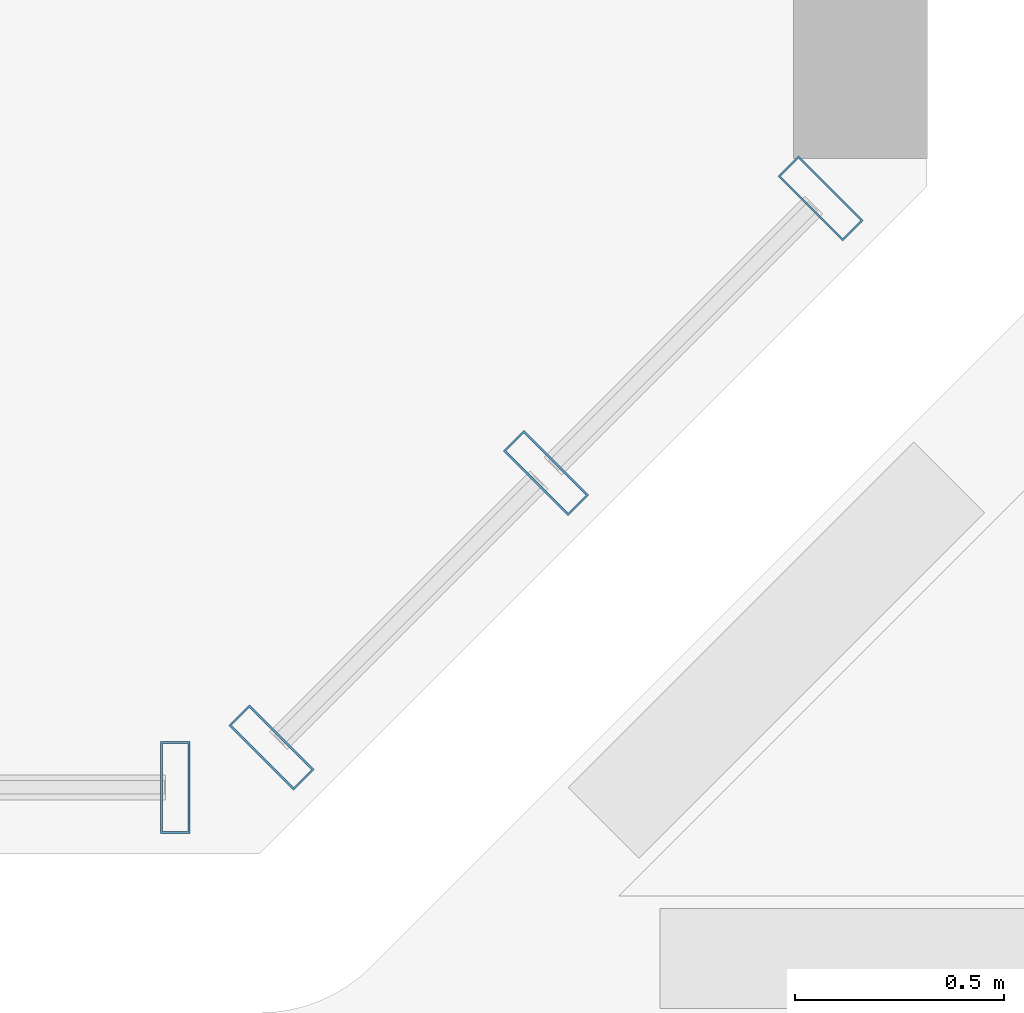
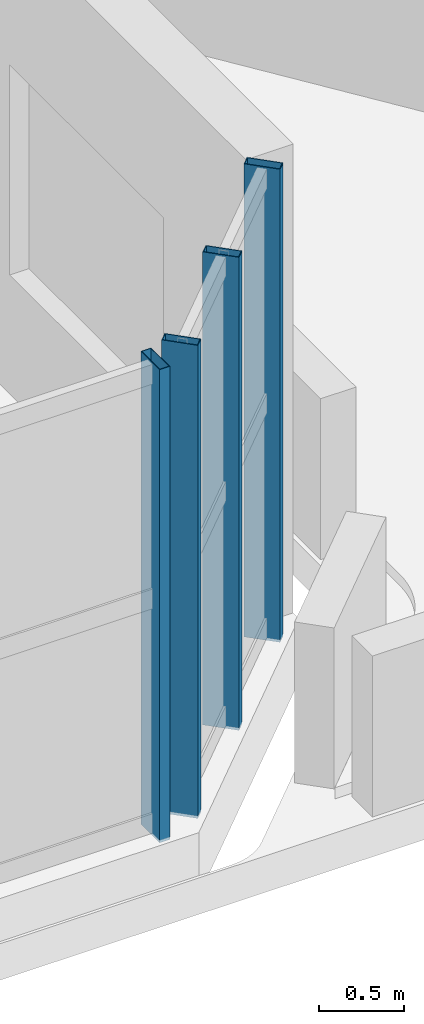
# One storey, part 9 of 28: 4 members, 2 elements without a shape of their own.
"""IFC4 building model written with IfcOpenShell, lengths in metres."""

import ifcopenshell
import ifcopenshell.guid

model = None  # the IFC model being written
_history = None  # IfcOwnerHistory: only IFC2X3 demands one
_inside = {}  # id of a spatial element -> (the spatial element, [elements in it])
_under = {}  # id of a project, library or spatial element -> (it, [spatial elements below it])
_declared = {}  # id of a project -> (the project, [libraries it declares])
_typed = {}  # id of a type object -> (the type object, [elements of that type])
_made_of = {}  # id of a material, layer set ... -> (it, [elements and type objects made of it])


def new_model(schema):
    """Start an empty IFC model of exactly this schema.

    Asked for "IFC4X3", IfcOpenShell would pick the latest addendum, in which some entities
    have other attributes; the version numbers below select the first issue.
    IFC2X3 requires an IfcOwnerHistory on every rooted entity: one is made here for all.
    """
    global model, _history
    if schema == "IFC4X3":
        model = ifcopenshell.file(schema_version=(4, 3, 0, 0))
    else:
        model = ifcopenshell.file(schema=schema)
    _inside.clear()
    _under.clear()
    _declared.clear()
    _typed.clear()
    _made_of.clear()
    _history = None
    if model.schema == "IFC2X3":
        org = make("IfcOrganization", Name="unknown")
        user = make(
            "IfcPersonAndOrganization",
            ThePerson=make("IfcPerson", FamilyName="unknown"),
            TheOrganization=org,
        )
        app = make(
            "IfcApplication",
            ApplicationDeveloper=org,
            Version="unknown",
            ApplicationFullName="unknown",
            ApplicationIdentifier="unknown",
        )
        _history = make(
            "IfcOwnerHistory",
            OwningUser=user,
            OwningApplication=app,
            ChangeAction="ADDED",
            CreationDate=0,
        )
    return model


def make(cls, **values):
    """One entity of the class cls with the attributes given. An attribute that is None is left unset."""
    return model.create_entity(
        cls, **{name: value for name, value in values.items() if value is not None}
    )


def rooted(cls, **values):
    """An entity with a GlobalId (a new one), such as an element, a storey or a relation."""
    return make(cls, GlobalId=ifcopenshell.guid.new(), OwnerHistory=_history, **values)


def si_unit(unit_type, name, prefix=None):
    """IfcSIUnit, for example si_unit("LENGTHUNIT", "METRE", prefix="MILLI")."""
    return make("IfcSIUnit", UnitType=unit_type, Prefix=prefix, Name=name)


def assignment(units):
    """IfcUnitAssignment: the units of a project."""
    return None if units is None else make("IfcUnitAssignment", Units=units)


def point(xyz):
    """IfcCartesianPoint."""
    return None if xyz is None else make("IfcCartesianPoint", Coordinates=xyz)


def direction(xyz):
    """IfcDirection."""
    return None if xyz is None else make("IfcDirection", DirectionRatios=xyz)


def frame(location, z_axis=None, x_axis=None):
    """IfcAxis2Placement3D, a coordinate frame: its origin and axes. An axis left out is left unset."""
    return make(
        "IfcAxis2Placement3D",
        Location=point(location),
        Axis=direction(z_axis),
        RefDirection=direction(x_axis),
    )


def frame_2d(location, x_axis=None):
    """IfcAxis2Placement2D, a coordinate frame in the plane: its origin and x axis."""
    return make(
        "IfcAxis2Placement2D", Location=point(location), RefDirection=direction(x_axis)
    )


def origin():
    """The frame at (0, 0, 0) with its axes left unset."""
    return frame((0.0, 0.0, 0.0))


def origin_2d():
    """The frame at (0, 0) in the plane with its x axis left unset."""
    return frame_2d((0.0, 0.0))


def place(relative_to, where):
    """IfcLocalPlacement: puts the frame where relative to a parent placement (None: the world)."""
    return make(
        "IfcLocalPlacement", PlacementRelTo=relative_to, RelativePlacement=where
    )


def context(
    kind, dimensions, precision=None, world=None, true_north=None, identifier=None
):
    """IfcGeometricRepresentationContext, for example the 3D "Model" context."""
    return make(
        "IfcGeometricRepresentationContext",
        ContextIdentifier=identifier,
        ContextType=kind,
        CoordinateSpaceDimension=dimensions,
        Precision=precision,
        WorldCoordinateSystem=world,
        TrueNorth=true_north,
    )


def subcontext(parent, identifier, kind, view, scale=None):
    """IfcGeometricRepresentationSubContext, for example "Body" below "Model"."""
    return make(
        "IfcGeometricRepresentationSubContext",
        ContextIdentifier=identifier,
        ContextType=kind,
        ParentContext=parent,
        TargetScale=scale,
        TargetView=view,
    )


def project(units=None, contexts=None):
    """IfcProject with its units and contexts."""
    return rooted(
        "IfcProject",
        Name="project",
        RepresentationContexts=contexts,
        UnitsInContext=assignment(units),
    )


def spatial(cls, under=None, at=None, **own):
    """A site, building, storey or space (cls), placed at a placement, below another one or the project."""
    s = rooted(cls, ObjectPlacement=at, **own)
    if under is not None:
        _under.setdefault(under.id(), (under, []))[1].append(s)
    return s


def profile(cls, at=None, kind="AREA", **sizes):
    """A parametric profile (cls). Its sizes go by their IFC names, for example OverallWidth=200.0."""
    return make(cls, ProfileType=kind, Position=at, **sizes)


def hollow_rectangle(**sizes):
    """IfcRectangleHollowProfileDef."""
    return profile("IfcRectangleHollowProfileDef", **sizes)


def extrude(swept, where, along, depth):
    """IfcExtrudedAreaSolid: the profile swept, set in the frame where, extruded along a direction by depth."""
    return make(
        "IfcExtrudedAreaSolid",
        SweptArea=swept,
        Position=where,
        ExtrudedDirection=direction(along),
        Depth=depth,
    )


def shape(context_of_items, identifier, shape_type, items):
    """IfcShapeRepresentation: the items that make up one representation, for example the "Body"."""
    return make(
        "IfcShapeRepresentation",
        ContextOfItems=context_of_items,
        RepresentationIdentifier=identifier,
        RepresentationType=shape_type,
        Items=items,
    )


def source(mapping_origin, context_of_items, identifier, shape_type, items):
    """IfcRepresentationMap: a shape defined once, which mapped items show again and again."""
    return make(
        "IfcRepresentationMap",
        MappingOrigin=mapping_origin,
        MappedRepresentation=shape(context_of_items, identifier, shape_type, items),
    )


def transform(
    local_origin,
    x_axis=None,
    y_axis=None,
    z_axis=None,
    scale=None,
    scale2=None,
    scale3=None,
    uniform=True,
):
    """IfcCartesianTransformationOperator3D, or its non-uniform kind. x_axis, y_axis, z_axis: its Axis1, 2, 3."""
    if uniform:
        return make(
            "IfcCartesianTransformationOperator3D",
            Axis1=direction(x_axis),
            Axis2=direction(y_axis),
            LocalOrigin=point(local_origin),
            Scale=scale,
            Axis3=direction(z_axis),
        )
    return make(
        "IfcCartesianTransformationOperator3DnonUniform",
        Axis1=direction(x_axis),
        Axis2=direction(y_axis),
        LocalOrigin=point(local_origin),
        Scale=scale,
        Axis3=direction(z_axis),
        Scale2=scale2,
        Scale3=scale3,
    )


def mapped(mapping_source, mapping_target):
    """IfcMappedItem: shows the shape of a source again, moved by a transform."""
    return make(
        "IfcMappedItem", MappingSource=mapping_source, MappingTarget=mapping_target
    )


def material(Name=None, Category=None):
    """IfcMaterial."""
    return make("IfcMaterial", Name=Name, Category=Category)


def material_profile(
    of_material, cross_section, Name=None, Category=None, Priority=None
):
    """IfcMaterialProfile: a cross section and its material."""
    return make(
        "IfcMaterialProfile",
        Name=Name,
        Material=of_material,
        Profile=cross_section,
        Priority=Priority,
        Category=Category,
    )


def profile_set(profiles, Name=None, composite=None):
    """IfcMaterialProfileSet."""
    return make(
        "IfcMaterialProfileSet",
        Name=Name,
        MaterialProfiles=profiles,
        CompositeProfile=composite,
    )


def made_of(thing, what):
    """Note that an element or type object is made of a material, layer set ...; save() writes the relation."""
    if what is not None:
        _made_of.setdefault(what.id(), (what, []))[1].append(thing)
    return thing


def type_object(cls, material=None, **own):
    """A type object (cls), such as IfcWallType, which elements share."""
    return made_of(rooted(cls, **own), material)


def element(
    cls,
    number,
    at=None,
    inside=None,
    cuts=None,
    type_object=None,
    material=None,
    context=None,
    identifier="Body",
    shape_type=None,
    held_by="IfcProductDefinitionShape",
    body=None,
    shapes=None,
    **own,
):
    """One element of the class cls, such as IfcWall. Its Tag is "e" and its number.

    at: its placement. inside: the storey or other place that contains it. cuts: it is an
    opening in that element (IfcRelVoidsElement). A single representation is given by context,
    identifier, shape_type and body (its items); several are given by shapes. held_by: the class
    of the entity that holds the representations. save() writes the other relations.
    """
    e = rooted(cls, Tag="e%d" % number, ObjectPlacement=at, **own)
    if body is not None:
        shapes = [shape(context, identifier, shape_type, body)]
    if shapes is not None:
        e.Representation = make(held_by, Representations=shapes)
    if inside is not None:
        _inside.setdefault(inside.id(), (inside, []))[1].append(e)
    if cuts is not None:
        rooted(
            "IfcRelVoidsElement", RelatingBuildingElement=cuts, RelatedOpeningElement=e
        )
    if type_object is not None:
        _typed.setdefault(type_object.id(), (type_object, []))[1].append(e)
    return made_of(e, material)


def aggregate(whole, parts):
    """IfcRelAggregates: a whole, such as a stair, and the parts it consists of."""
    return rooted("IfcRelAggregates", RelatingObject=whole, RelatedObjects=parts)


def save(model, path):
    """Write the relations noted so far, then the file.

    IfcRelAggregates (storeys below a building ...), IfcRelContainedInSpatialStructure (elements
    in a storey), IfcRelDefinesByType, IfcRelAssociatesMaterial and IfcRelDeclares: one each for
    every whole, place, type object, material and project.
    """
    for whole, parts in _under.values():
        aggregate(whole, parts)
    for where, things in _inside.values():
        rooted(
            "IfcRelContainedInSpatialStructure",
            RelatedElements=things,
            RelatingStructure=where,
        )
    for kind, things in _typed.values():
        rooted("IfcRelDefinesByType", RelatedObjects=things, RelatingType=kind)
    for what, things in _made_of.values():
        rooted("IfcRelAssociatesMaterial", RelatedObjects=things, RelatingMaterial=what)
    for by, libraries in _declared.values():
        rooted("IfcRelDeclares", RelatingContext=by, RelatedDefinitions=libraries)
    model.write(path)


model = new_model("IFC4")

# Units and contexts
model_context = context("Model", 3, precision=1e-05, world=origin(), true_north=direction((0.0, 1.0)))
body_context = subcontext(model_context, "Body", "Model", "MODEL_VIEW")
ifc_project = project(units=[si_unit("LENGTHUNIT", "METRE"), si_unit("AREAUNIT", "SQUARE_METRE"), si_unit("VOLUMEUNIT", "CUBIC_METRE"), si_unit("PLANEANGLEUNIT", "RADIAN"), si_unit("MASSUNIT", "GRAM", prefix="KILO")], contexts=[model_context])

# Site, building, storey
site_placement = place(None, origin())
site = spatial("IfcSite", under=ifc_project, at=site_placement, CompositionType="ELEMENT")
building_placement = place(site_placement, origin())
building = spatial("IfcBuilding", under=site, at=building_placement, Name="Tlacorven Tower", CompositionType="ELEMENT")
storey_placement = place(building_placement, frame((0.0, 0.0, 24.0)))
storey = spatial("IfcBuildingStorey", under=building, at=storey_placement, Name="L05", CompositionType="ELEMENT", Elevation=24.0)

# Curtain wall, members
ifc_material_1 = material(Name="Dark solar low-E double glazing in aluminium frame", Category="aluminium")
curtain_wall_type = type_object("IfcCurtainWallType", Name="CW-TWR-LOW", PredefinedType="USERDEFINED", material=ifc_material_1)
curtain_wall_1_placement = place(storey_placement, origin())
curtain_wall_1 = element("IfcCurtainWall", 1, at=curtain_wall_1_placement, inside=storey, type_object=curtain_wall_type, Name="L05 CW-TWR-LOW Curtain Wall 21", ObjectType="UNITISED CURTAIN WALL", PredefinedType="USERDEFINED")
ifc_material_2 = material(Name="Aluminium 6063-T6 anodised", Category="aluminium")
ifc_material_profile = material_profile(ifc_material_2, hollow_rectangle(XDim=0.070068359375, YDim=0.219970703125, WallThickness=0.0048828125, at=origin_2d()), Name="ALU MULLION 70X220")
ifc_profile_set = profile_set([ifc_material_profile], Name="Aluminium 6063-T6 anodised")
member_type = type_object("IfcMemberType", Name="CWM-01", PredefinedType="MULLION", material=ifc_profile_set)
shared_shape = source(origin(), body_context, "Body", "SweptSolid", [
    extrude(hollow_rectangle(XDim=0.070068359375, YDim=0.219970703125, WallThickness=0.0048828125, at=origin_2d()), origin(), (0.0, 0.0, 1.0), 3.380126953125),
])
member_1_placement = place(storey_placement, frame((52.14453125, 3.370849609375, -0.02001953125), z_axis=(0.0, 0.0, 1.0), x_axis=(-0.707106781187, -0.707106781187, 0.0)))
member_1 = element("IfcMember", 2, at=member_1_placement, type_object=member_type, Name="CW-L05-021 Mullion 1", PredefinedType="MULLION", context=body_context, shape_type="MappedRepresentation", body=[
    mapped(shared_shape, transform((0.0, 0.0, 0.0), scale=1.0)),
])
member_2_placement = place(storey_placement, frame((51.48681640625, 2.713134765625, -0.02001953125), z_axis=(0.0, 0.0, 1.0), x_axis=(-0.707106781187, -0.707106781187, 0.0)))
member_2 = element("IfcMember", 3, at=member_2_placement, type_object=member_type, Name="CW-L05-021 Mullion 2", PredefinedType="MULLION", context=body_context, shape_type="MappedRepresentation", body=[
    mapped(shared_shape, transform((0.0, 0.0, 0.0), scale=1.0)),
])
member_3_placement = place(storey_placement, frame((50.8291015625, 2.055419921875, -0.02001953125), z_axis=(0.0, 0.0, 1.0), x_axis=(-0.707106781187, -0.707106781187, 0.0)))
member_3 = element("IfcMember", 4, at=member_3_placement, type_object=member_type, Name="CW-L05-021 Mullion 3", PredefinedType="MULLION", context=body_context, shape_type="MappedRepresentation", body=[
    mapped(shared_shape, transform((0.0, 0.0, 0.0), scale=1.0)),
])
aggregate(curtain_wall_1, [member_1, member_2, member_3])

# Curtain wall, member
curtain_wall_2_placement = place(storey_placement, origin())
curtain_wall_2 = element("IfcCurtainWall", 5, at=curtain_wall_2_placement, inside=storey, type_object=curtain_wall_type, Name="L05 CW-TWR-LOW Curtain Wall 22", ObjectType="UNITISED CURTAIN WALL", PredefinedType="USERDEFINED")
member_4_placement = place(storey_placement, frame((50.5986328125, 1.9599609375, -0.02001953125), z_axis=(0.0, 0.0, 1.0), x_axis=(-1.0, 0.0, 0.0)))
member_4 = element("IfcMember", 6, at=member_4_placement, type_object=member_type, Name="CW-L05-022 Mullion 1", PredefinedType="MULLION", context=body_context, shape_type="MappedRepresentation", body=[
    mapped(shared_shape, transform((0.0, 0.0, 0.0), scale=1.0)),
])
aggregate(curtain_wall_2, [member_4])

save(model, "model.ifc")
